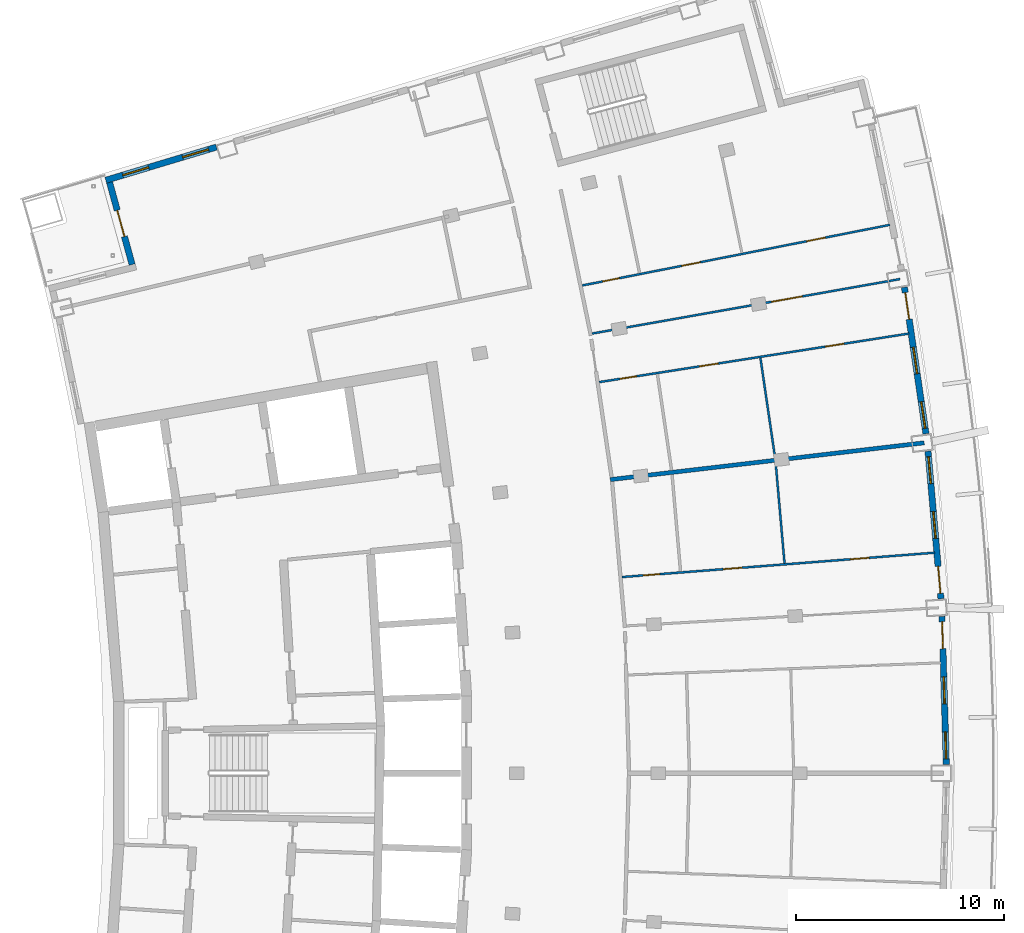
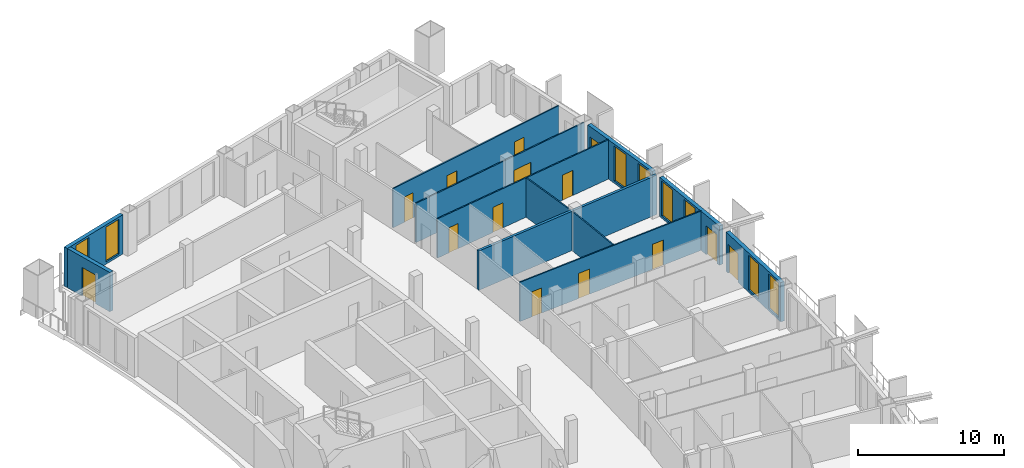
# One storey, part 12 of 17: 14 doors, 12 walls, 8 windows, 22 openings.
"""IFC4 building model written with IfcOpenShell, lengths in metres."""

from ifc_helpers import new_model, si_unit, direction, frame, frame_2d, origin, place, context, subcontext, project, spatial, rectangle, extrude, material, layer, layer_set, type_object, element, fill, save


model = new_model("IFC4")

# Units and contexts
model_context = context("Model", 3, precision=1e-05, world=origin(), true_north=direction((0.0, 1.0)))
body_context = subcontext(model_context, "Body", "Model", "MODEL_VIEW")
ifc_project = project(units=[si_unit("LENGTHUNIT", "METRE"), si_unit("AREAUNIT", "SQUARE_METRE"), si_unit("VOLUMEUNIT", "CUBIC_METRE"), si_unit("PLANEANGLEUNIT", "RADIAN"), si_unit("MASSUNIT", "GRAM", prefix="KILO")], contexts=[model_context])

# Site, building, storey
site_placement = place(None, origin())
site = spatial("IfcSite", under=ifc_project, at=site_placement, CompositionType="ELEMENT")
building_placement = place(site_placement, origin())
building = spatial("IfcBuilding", under=site, at=building_placement, Name="Alderwake Tower", CompositionType="ELEMENT")
storey_placement = place(building_placement, frame((0.0, 0.0, 270.800048828125)))
storey = spatial("IfcBuildingStorey", under=building, at=storey_placement, Name="L67", CompositionType="ELEMENT", Elevation=270.800048828125)

# Wall, openings, door, windows
ifc_material_1 = material(Name="Precast concrete C50/60 spandrel panel", Category="concrete")
ifc_layer_1 = layer(ifc_material_1, 0.300048828125)
ifc_layer_set_1 = layer_set([ifc_layer_1], Name="External wall EW1 Precast concrete C50/60 spandrel")
wall_type_1 = type_object("IfcWallType", Name="External wall EW1 Precast concrete C50/60 spandrel", PredefinedType="SOLIDWALL", material=ifc_layer_set_1)
wall_1_placement = place(storey_placement, frame((56.437744140625, 61.42138671875, 0.0), z_axis=(0.0, 0.0, 1.0), x_axis=(-0.029165124817, 0.999574607268, 0.0)))
wall_1 = element("IfcWall", 1, at=wall_1_placement, inside=storey, type_object=wall_type_1, Name="External wall 16", PredefinedType="SOLIDWALL", context=body_context, shape_type="SweptSolid", body=[
    extrude(rectangle(XDim=7.115234375, YDim=0.300048828125, at=frame_2d((3.5576171875, 0.0))), origin(), (0.0, 0.0, 1.0), 3.280029296875),
])
opening_1_placement = place(wall_1_placement, frame((0.259521484375, 0.0, 0.199951171875)))
opening_1 = element("IfcOpeningElement", 2, at=opening_1_placement, cuts=wall_1, Name="Opening W1", PredefinedType="OPENING", context=body_context, shape_type="SweptSolid", body=[
    extrude(rectangle(XDim=1.300048828125, YDim=2.89990234375, at=frame_2d((0.64990234375, 1.449951171875))), frame((0.0, 0.159912109375, 0.0), z_axis=(0.0, -1.0, 0.0), x_axis=(1.0, 0.0, 0.0)), (0.0, 0.0, 1.0), 0.320068359375),
])
opening_2_placement = place(wall_1_placement, frame((2.907470703125, 0.0, 0.199951171875)))
opening_2 = element("IfcOpeningElement", 3, at=opening_2_placement, cuts=wall_1, Name="Opening W1", PredefinedType="OPENING", context=body_context, shape_type="SweptSolid", body=[
    extrude(rectangle(XDim=1.300048828125, YDim=2.89990234375, at=frame_2d((0.64990234375, 1.449951171875))), frame((0.0, 0.159912109375, 0.0), z_axis=(0.0, -1.0, 0.0), x_axis=(1.0, 0.0, 0.0)), (0.0, 0.0, 1.0), 0.320068359375),
])
opening_3_placement = place(wall_1_placement, frame((5.555419921875, 0.0, 0.0)))
opening_3 = element("IfcOpeningElement", 4, at=opening_3_placement, cuts=wall_1, Name="Opening D06", PredefinedType="OPENING", context=body_context, shape_type="SweptSolid", body=[
    extrude(rectangle(XDim=1.300048828125, YDim=2.39990234375, at=frame_2d((0.64990234375, 1.199951171875))), frame((0.0, 0.159912109375, 0.0), z_axis=(0.0, -1.0, 0.0), x_axis=(1.0, 0.0, 0.0)), (0.0, 0.0, 1.0), 0.320068359375),
])
ifc_material_2 = material(Name="Bronze tinted glass in aluminium frame", Category="aluminium")
door_type_1 = type_object("IfcDoorType", Name="Balcony door BD sliding", OperationType="SLIDING_TO_LEFT", PredefinedType="DOOR", material=ifc_material_2)
door_1_placement = place(opening_3_placement, origin())
door_1 = element("IfcDoor", 5, at=door_1_placement, inside=storey, type_object=door_type_1, Name="Door D06", OperationType="SLIDING_TO_LEFT", OverallHeight=2.39990234375, OverallWidth=1.300048828125, PredefinedType="DOOR", context=body_context, shape_type="SweptSolid", body=[
    extrude(rectangle(XDim=1.300048828125, YDim=2.39990234375, at=frame_2d((0.64990234375, 1.199951171875))), frame((0.0, 0.02490234375, 0.0), z_axis=(0.0, -1.0, 0.0), x_axis=(1.0, 0.0, 0.0)), (0.0, 0.0, 1.0), 0.050048828125),
])
fill(opening_3, door_1)
ifc_material_3 = material(Name="Bronze tinted glass in aluminium frame", Category="aluminium")
window_type = type_object("IfcWindowType", Name="Window W1 tall fixed and vent", PartitioningType="DOUBLE_PANEL_VERTICAL", PredefinedType="WINDOW", material=ifc_material_3)
window_1_placement = place(opening_1_placement, origin())
window_1 = element("IfcWindow", 6, at=window_1_placement, inside=storey, type_object=window_type, Name="Window W1 tall fixed and vent", OverallHeight=2.89990234375, OverallWidth=1.300048828125, PartitioningType="DOUBLE_PANEL_VERTICAL", PredefinedType="WINDOW", context=body_context, shape_type="SweptSolid", body=[
    extrude(rectangle(XDim=1.300048828125, YDim=2.89990234375, at=frame_2d((0.64990234375, 1.449951171875))), frame((0.0, 0.030029296875, 0.0), z_axis=(0.0, -1.0, 0.0), x_axis=(1.0, 0.0, 0.0)), (0.0, 0.0, 1.0), 0.06005859375),
])
fill(opening_1, window_1)
window_2_placement = place(opening_2_placement, origin())
window_2 = element("IfcWindow", 7, at=window_2_placement, inside=storey, type_object=window_type, Name="Window W1 tall fixed and vent", OverallHeight=2.89990234375, OverallWidth=1.300048828125, PartitioningType="DOUBLE_PANEL_VERTICAL", PredefinedType="WINDOW", context=body_context, shape_type="SweptSolid", body=[
    extrude(rectangle(XDim=1.300048828125, YDim=2.89990234375, at=frame_2d((0.64990234375, 1.449951171875))), frame((0.0, 0.030029296875, 0.0), z_axis=(0.0, -1.0, 0.0), x_axis=(1.0, 0.0, 0.0)), (0.0, 0.0, 1.0), 0.06005859375),
])
fill(opening_2, window_2)

wall_2_placement = place(storey_placement, frame((56.180908203125, 69.375244140625, 0.0), z_axis=(0.0, 0.0, 1.0), x_axis=(-0.08736403326, 0.996176453091, 0.0)))
wall_2 = element("IfcWall", 8, at=wall_2_placement, inside=storey, type_object=wall_type_1, Name="External wall 17", PredefinedType="SOLIDWALL", context=body_context, shape_type="SweptSolid", body=[
    extrude(rectangle(XDim=7.11474609375, YDim=0.300048828125, at=frame_2d((3.557373046875, 0.0))), origin(), (0.0, 0.0, 1.0), 3.280029296875),
])
opening_4_placement = place(wall_2_placement, frame((0.259521484375, 0.0, 0.0)))
opening_4 = element("IfcOpeningElement", 9, at=opening_4_placement, cuts=wall_2, Name="Opening D07", PredefinedType="OPENING", context=body_context, shape_type="SweptSolid", body=[
    extrude(rectangle(XDim=1.300048828125, YDim=2.39990234375, at=frame_2d((0.64990234375, 1.199951171875))), frame((0.0, 0.159912109375, 0.0), z_axis=(0.0, -1.0, 0.0), x_axis=(1.0, 0.0, 0.0)), (0.0, 0.0, 1.0), 0.320068359375),
])
opening_5_placement = place(wall_2_placement, frame((2.907470703125, 0.0, 0.199951171875)))
opening_5 = element("IfcOpeningElement", 10, at=opening_5_placement, cuts=wall_2, Name="Opening W1", PredefinedType="OPENING", context=body_context, shape_type="SweptSolid", body=[
    extrude(rectangle(XDim=1.300048828125, YDim=2.89990234375, at=frame_2d((0.64990234375, 1.449951171875))), frame((0.0, 0.159912109375, 0.0), z_axis=(0.0, -1.0, 0.0), x_axis=(1.0, 0.0, 0.0)), (0.0, 0.0, 1.0), 0.320068359375),
])
opening_6_placement = place(wall_2_placement, frame((5.555419921875, 0.0, 0.199951171875)))
opening_6 = element("IfcOpeningElement", 11, at=opening_6_placement, cuts=wall_2, Name="Opening W1", PredefinedType="OPENING", context=body_context, shape_type="SweptSolid", body=[
    extrude(rectangle(XDim=1.300048828125, YDim=2.89990234375, at=frame_2d((0.64990234375, 1.449951171875))), frame((0.0, 0.159912109375, 0.0), z_axis=(0.0, -1.0, 0.0), x_axis=(1.0, 0.0, 0.0)), (0.0, 0.0, 1.0), 0.320068359375),
])
door_2_placement = place(opening_4_placement, origin())
door_2 = element("IfcDoor", 12, at=door_2_placement, inside=storey, type_object=door_type_1, Name="Door D07", OperationType="SLIDING_TO_LEFT", OverallHeight=2.39990234375, OverallWidth=1.300048828125, PredefinedType="DOOR", context=body_context, shape_type="SweptSolid", body=[
    extrude(rectangle(XDim=1.300048828125, YDim=2.39990234375, at=frame_2d((0.64990234375, 1.199951171875))), frame((0.0, 0.02490234375, 0.0), z_axis=(0.0, -1.0, 0.0), x_axis=(1.0, 0.0, 0.0)), (0.0, 0.0, 1.0), 0.050048828125),
])
fill(opening_4, door_2)
window_3_placement = place(opening_5_placement, origin())
window_3 = element("IfcWindow", 13, at=window_3_placement, inside=storey, type_object=window_type, Name="Window W1 tall fixed and vent", OverallHeight=2.89990234375, OverallWidth=1.300048828125, PartitioningType="DOUBLE_PANEL_VERTICAL", PredefinedType="WINDOW", context=body_context, shape_type="SweptSolid", body=[
    extrude(rectangle(XDim=1.300048828125, YDim=2.89990234375, at=frame_2d((0.64990234375, 1.449951171875))), frame((0.0, 0.030029296875, 0.0), z_axis=(0.0, -1.0, 0.0), x_axis=(1.0, 0.0, 0.0)), (0.0, 0.0, 1.0), 0.06005859375),
])
fill(opening_5, window_3)
window_4_placement = place(opening_6_placement, origin())
window_4 = element("IfcWindow", 14, at=window_4_placement, inside=storey, type_object=window_type, Name="Window W1 tall fixed and vent", OverallHeight=2.89990234375, OverallWidth=1.300048828125, PartitioningType="DOUBLE_PANEL_VERTICAL", PredefinedType="WINDOW", context=body_context, shape_type="SweptSolid", body=[
    extrude(rectangle(XDim=1.300048828125, YDim=2.89990234375, at=frame_2d((0.64990234375, 1.449951171875))), frame((0.0, 0.030029296875, 0.0), z_axis=(0.0, -1.0, 0.0), x_axis=(1.0, 0.0, 0.0)), (0.0, 0.0, 1.0), 0.06005859375),
])
fill(opening_6, window_4)

wall_3_placement = place(storey_placement, frame((55.461181640625, 77.30029296875, 0.0), z_axis=(0.0, 0.0, 1.0), x_axis=(-0.145316175734, 0.98938526827, 0.0)))
wall_3 = element("IfcWall", 15, at=wall_3_placement, inside=storey, type_object=wall_type_1, Name="External wall 18", PredefinedType="SOLIDWALL", context=body_context, shape_type="SweptSolid", body=[
    extrude(rectangle(XDim=7.114990234375, YDim=0.300048828125, at=frame_2d((3.5576171875, 0.0))), origin(), (0.0, 0.0, 1.0), 3.280029296875),
])
opening_7_placement = place(wall_3_placement, frame((0.259521484375, 0.0, 0.199951171875)))
opening_7 = element("IfcOpeningElement", 16, at=opening_7_placement, cuts=wall_3, Name="Opening W1", PredefinedType="OPENING", context=body_context, shape_type="SweptSolid", body=[
    extrude(rectangle(XDim=1.300048828125, YDim=2.89990234375, at=frame_2d((0.64990234375, 1.449951171875))), frame((0.0, 0.159912109375, 0.0), z_axis=(0.0, -1.0, 0.0), x_axis=(1.0, 0.0, 0.0)), (0.0, 0.0, 1.0), 0.320068359375),
])
opening_8_placement = place(wall_3_placement, frame((2.907470703125, 0.0, 0.199951171875)))
opening_8 = element("IfcOpeningElement", 17, at=opening_8_placement, cuts=wall_3, Name="Opening W1", PredefinedType="OPENING", context=body_context, shape_type="SweptSolid", body=[
    extrude(rectangle(XDim=1.300048828125, YDim=2.89990234375, at=frame_2d((0.64990234375, 1.449951171875))), frame((0.0, 0.159912109375, 0.0), z_axis=(0.0, -1.0, 0.0), x_axis=(1.0, 0.0, 0.0)), (0.0, 0.0, 1.0), 0.320068359375),
])
opening_9_placement = place(wall_3_placement, frame((5.555419921875, 0.0, 0.0)))
opening_9 = element("IfcOpeningElement", 18, at=opening_9_placement, cuts=wall_3, Name="Opening D08", PredefinedType="OPENING", context=body_context, shape_type="SweptSolid", body=[
    extrude(rectangle(XDim=1.300048828125, YDim=2.39990234375, at=frame_2d((0.64990234375, 1.199951171875))), frame((0.0, 0.159912109375, 0.0), z_axis=(0.0, -1.0, 0.0), x_axis=(1.0, 0.0, 0.0)), (0.0, 0.0, 1.0), 0.320068359375),
])
door_3_placement = place(opening_9_placement, origin())
door_3 = element("IfcDoor", 19, at=door_3_placement, inside=storey, type_object=door_type_1, Name="Door D08", OperationType="SLIDING_TO_LEFT", OverallHeight=2.39990234375, OverallWidth=1.300048828125, PredefinedType="DOOR", context=body_context, shape_type="SweptSolid", body=[
    extrude(rectangle(XDim=1.300048828125, YDim=2.39990234375, at=frame_2d((0.64990234375, 1.199951171875))), frame((0.0, 0.02490234375, 0.0), z_axis=(0.0, -1.0, 0.0), x_axis=(1.0, 0.0, 0.0)), (0.0, 0.0, 1.0), 0.050048828125),
])
fill(opening_9, door_3)
window_5_placement = place(opening_7_placement, origin())
window_5 = element("IfcWindow", 20, at=window_5_placement, inside=storey, type_object=window_type, Name="Window W1 tall fixed and vent", OverallHeight=2.89990234375, OverallWidth=1.300048828125, PartitioningType="DOUBLE_PANEL_VERTICAL", PredefinedType="WINDOW", context=body_context, shape_type="SweptSolid", body=[
    extrude(rectangle(XDim=1.300048828125, YDim=2.89990234375, at=frame_2d((0.64990234375, 1.449951171875))), frame((0.0, 0.030029296875, 0.0), z_axis=(0.0, -1.0, 0.0), x_axis=(1.0, 0.0, 0.0)), (0.0, 0.0, 1.0), 0.06005859375),
])
fill(opening_7, window_5)
window_6_placement = place(opening_8_placement, origin())
window_6 = element("IfcWindow", 21, at=window_6_placement, inside=storey, type_object=window_type, Name="Window W1 tall fixed and vent", OverallHeight=2.89990234375, OverallWidth=1.300048828125, PartitioningType="DOUBLE_PANEL_VERTICAL", PredefinedType="WINDOW", context=body_context, shape_type="SweptSolid", body=[
    extrude(rectangle(XDim=1.300048828125, YDim=2.89990234375, at=frame_2d((0.64990234375, 1.449951171875))), frame((0.0, 0.030029296875, 0.0), z_axis=(0.0, -1.0, 0.0), x_axis=(1.0, 0.0, 0.0)), (0.0, 0.0, 1.0), 0.06005859375),
])
fill(opening_8, window_6)

# Wall, openings, windows
ifc_material_4 = material(Name="Bronze metal cladding on lightweight framing")
ifc_layer_2 = layer(ifc_material_4, 0.300048828125)
ifc_layer_set_2 = layer_set([ifc_layer_2], Name="External wall EW2 bronze metal cladding")
wall_type_2 = type_object("IfcWallType", Name="External wall EW2 bronze metal cladding", PredefinedType="SOLIDWALL", material=ifc_layer_set_2)
wall_4_placement = place(storey_placement, frame((21.380859375, 91.072021484375, 0.0), z_axis=(0.0, 0.0, 1.0), x_axis=(-0.957769358194, -0.287537574074, 0.0)))
wall_4 = element("IfcWall", 22, at=wall_4_placement, inside=storey, type_object=wall_type_2, Name="External wall 27", PredefinedType="SOLIDWALL", context=body_context, shape_type="SweptSolid", body=[
    extrude(rectangle(XDim=5.549560546875, YDim=0.300048828125, at=frame_2d((2.77490234375, 0.0))), origin(), (0.0, 0.0, 1.0), 3.280029296875),
])
opening_10_placement = place(wall_4_placement, frame((0.3984375, 0.0, 0.199951171875)))
opening_10 = element("IfcOpeningElement", 23, at=opening_10_placement, cuts=wall_4, Name="Opening W1", PredefinedType="OPENING", context=body_context, shape_type="SweptSolid", body=[
    extrude(rectangle(XDim=1.300048828125, YDim=2.89990234375, at=frame_2d((0.64990234375, 1.449951171875))), frame((0.0, 0.159912109375, 0.0), z_axis=(0.0, -1.0, 0.0), x_axis=(1.0, 0.0, 0.0)), (0.0, 0.0, 1.0), 0.320068359375),
])
opening_11_placement = place(wall_4_placement, frame((3.399169921875, 0.0, 0.199951171875)))
opening_11 = element("IfcOpeningElement", 24, at=opening_11_placement, cuts=wall_4, Name="Opening W1", PredefinedType="OPENING", context=body_context, shape_type="SweptSolid", body=[
    extrude(rectangle(XDim=1.300048828125, YDim=2.89990234375, at=frame_2d((0.64990234375, 1.449951171875))), frame((0.0, 0.159912109375, 0.0), z_axis=(0.0, -1.0, 0.0), x_axis=(1.0, 0.0, 0.0)), (0.0, 0.0, 1.0), 0.320068359375),
])
window_7_placement = place(opening_10_placement, origin())
window_7 = element("IfcWindow", 25, at=window_7_placement, inside=storey, type_object=window_type, Name="Window W1 tall fixed and vent", OverallHeight=2.89990234375, OverallWidth=1.300048828125, PartitioningType="DOUBLE_PANEL_VERTICAL", PredefinedType="WINDOW", context=body_context, shape_type="SweptSolid", body=[
    extrude(rectangle(XDim=1.300048828125, YDim=2.89990234375, at=frame_2d((0.64990234375, 1.449951171875))), frame((0.0, 0.030029296875, 0.0), z_axis=(0.0, -1.0, 0.0), x_axis=(1.0, 0.0, 0.0)), (0.0, 0.0, 1.0), 0.06005859375),
])
fill(opening_10, window_7)
window_8_placement = place(opening_11_placement, origin())
window_8 = element("IfcWindow", 26, at=window_8_placement, inside=storey, type_object=window_type, Name="Window W1 tall fixed and vent", OverallHeight=2.89990234375, OverallWidth=1.300048828125, PartitioningType="DOUBLE_PANEL_VERTICAL", PredefinedType="WINDOW", context=body_context, shape_type="SweptSolid", body=[
    extrude(rectangle(XDim=1.300048828125, YDim=2.89990234375, at=frame_2d((0.64990234375, 1.449951171875))), frame((0.0, 0.030029296875, 0.0), z_axis=(0.0, -1.0, 0.0), x_axis=(1.0, 0.0, 0.0)), (0.0, 0.0, 1.0), 0.06005859375),
])
fill(opening_11, window_8)

# Wall, opening, door
wall_5_placement = place(storey_placement, frame((16.248779296875, 89.374755859375, 0.0), z_axis=(0.0, 0.0, 1.0), x_axis=(0.264607053468, -0.964356317579, 0.0)))
wall_5 = element("IfcWall", 27, at=wall_5_placement, inside=storey, type_object=wall_type_2, Name="External wall 28", PredefinedType="SOLIDWALL", context=body_context, shape_type="SweptSolid", body=[
    extrude(rectangle(XDim=4.090087890625, YDim=0.300048828125, at=frame_2d((2.044921875, 0.0))), origin(), (0.0, 0.0, 1.0), 3.280029296875),
])
opening_12_placement = place(wall_5_placement, frame((1.39501953125, 0.0, 0.0)))
opening_12 = element("IfcOpeningElement", 28, at=opening_12_placement, cuts=wall_5, Name="Opening D10", PredefinedType="OPENING", context=body_context, shape_type="SweptSolid", body=[
    extrude(rectangle(XDim=1.300048828125, YDim=2.39990234375, at=frame_2d((0.64990234375, 1.199951171875))), frame((0.0, 0.159912109375, 0.0), z_axis=(0.0, -1.0, 0.0), x_axis=(1.0, 0.0, 0.0)), (0.0, 0.0, 1.0), 0.320068359375),
])
door_4_placement = place(opening_12_placement, origin())
door_4 = element("IfcDoor", 29, at=door_4_placement, inside=storey, type_object=door_type_1, Name="Door D10", OperationType="SLIDING_TO_LEFT", OverallHeight=2.39990234375, OverallWidth=1.300048828125, PredefinedType="DOOR", context=body_context, shape_type="SweptSolid", body=[
    extrude(rectangle(XDim=1.300048828125, YDim=2.39990234375, at=frame_2d((0.64990234375, 1.199951171875))), frame((0.0, 0.02490234375, 0.0), z_axis=(0.0, -1.0, 0.0), x_axis=(1.0, 0.0, 0.0)), (0.0, 0.0, 1.0), 0.050048828125),
])
fill(opening_12, door_4)

# Wall
ifc_material_5 = material(Name="Dense block masonry wall", Category="masonry")
ifc_layer_3 = layer(ifc_material_5, 0.199951171875)
ifc_layer_set_3 = layer_set([ifc_layer_3], Name="Party wall 200")
wall_type_3 = type_object("IfcWallType", Name="Party wall 200", PredefinedType="SOLIDWALL", material=ifc_layer_set_3)
wall_6_placement = place(storey_placement, frame((55.3740234375, 76.865966796875, 0.0), z_axis=(0.0, 0.0, 1.0), x_axis=(-0.993199152778, -0.116427844266, 0.0)))
element("IfcWall", 30, at=wall_6_placement, inside=storey, type_object=wall_type_3, Name="WL/L67/W02", PredefinedType="SOLIDWALL", context=body_context, shape_type="SweptSolid", body=[
    extrude(rectangle(XDim=15.1796875, YDim=0.199951171875, at=frame_2d((7.58984375, 0.0))), origin(), (0.0, 0.0, 1.0), 3.280029296875),
])

# Wall, openings, doors
ifc_material_6 = material(Name="Gypsum board on metal studs")
ifc_layer_4 = layer(ifc_material_6, 0.10009765625)
ifc_layer_set_4 = layer_set([ifc_layer_4], Name="Unit partition 100")
wall_type_4 = type_object("IfcWallType", Name="Unit partition 100", PredefinedType="PARTITIONING", material=ifc_layer_set_4)
wall_7_placement = place(storey_placement, frame((38.949462890625, 84.423583984375, 0.0), z_axis=(0.0, 0.0, 1.0), x_axis=(0.981127917423, 0.193359793272, 0.0)))
wall_7 = element("IfcWall", 31, at=wall_7_placement, inside=storey, type_object=wall_type_4, Name="WL/L67/W39", PredefinedType="PARTITIONING", context=body_context, shape_type="SweptSolid", body=[
    extrude(rectangle(XDim=15.061767578125, YDim=0.10009765625, at=frame_2d((7.53076171875, 0.0))), origin(), (0.0, 0.0, 1.0), 3.280029296875),
])
opening_13_placement = place(wall_7_placement, frame((4.873291015625, 0.0, 0.0)))
opening_13 = element("IfcOpeningElement", 32, at=opening_13_placement, cuts=wall_7, Name="Opening R19-U06.5", PredefinedType="OPENING", context=body_context, shape_type="SweptSolid", body=[
    extrude(rectangle(XDim=0.89990234375, YDim=2.10009765625, at=frame_2d((0.449951171875, 1.050048828125))), frame((0.0, 0.06005859375, 0.0), z_axis=(0.0, -1.0, 0.0), x_axis=(1.0, 0.0, 0.0)), (0.0, 0.0, 1.0), 0.1201171875),
])
opening_14_placement = place(wall_7_placement, frame((1.009521484375, 0.0, 0.0)))
opening_14 = element("IfcOpeningElement", 33, at=opening_14_placement, cuts=wall_7, Name="Opening R19-U06.6", PredefinedType="OPENING", context=body_context, shape_type="SweptSolid", body=[
    extrude(rectangle(XDim=0.800048828125, YDim=2.10009765625, at=frame_2d((0.39990234375, 1.050048828125))), frame((0.0, 0.06005859375, 0.0), z_axis=(0.0, -1.0, 0.0), x_axis=(1.0, 0.0, 0.0)), (0.0, 0.0, 1.0), 0.1201171875),
])
opening_15_placement = place(wall_7_placement, frame((10.99462890625, 0.0, 0.0)))
opening_15 = element("IfcOpeningElement", 34, at=opening_15_placement, cuts=wall_7, Name="Opening R19-U06.7", PredefinedType="OPENING", context=body_context, shape_type="SweptSolid", body=[
    extrude(rectangle(XDim=0.89990234375, YDim=2.10009765625, at=frame_2d((0.449951171875, 1.050048828125))), frame((0.0, 0.06005859375, 0.0), z_axis=(0.0, -1.0, 0.0), x_axis=(1.0, 0.0, 0.0)), (0.0, 0.0, 1.0), 0.1201171875),
])
ifc_material_7 = material(Name="Painted timber leaf", Category="wood")
door_type_2 = type_object("IfcDoorType", Name="Bathroom door 800", OperationType="SINGLE_SWING_LEFT", PredefinedType="DOOR", material=ifc_material_7)
door_5_placement = place(opening_14_placement, origin())
door_5 = element("IfcDoor", 35, at=door_5_placement, inside=storey, type_object=door_type_2, Name="DR/L67/U06.6", OperationType="SINGLE_SWING_LEFT", OverallHeight=2.10009765625, OverallWidth=0.800048828125, PredefinedType="DOOR", context=body_context, shape_type="SweptSolid", body=[
    extrude(rectangle(XDim=0.800048828125, YDim=2.10009765625, at=frame_2d((0.39990234375, 1.050048828125))), frame((0.0, 0.02490234375, 0.0), z_axis=(0.0, -1.0, 0.0), x_axis=(1.0, 0.0, 0.0)), (0.0, 0.0, 1.0), 0.050048828125),
])
fill(opening_14, door_5)
ifc_material_8 = material(Name="Painted timber leaf", Category="wood")
door_type_3 = type_object("IfcDoorType", Name="Room door 900", OperationType="SINGLE_SWING_LEFT", PredefinedType="DOOR", material=ifc_material_8)
door_6_placement = place(opening_13_placement, origin())
door_6 = element("IfcDoor", 36, at=door_6_placement, inside=storey, type_object=door_type_3, Name="DR/L67/U06.5", OperationType="SINGLE_SWING_LEFT", OverallHeight=2.10009765625, OverallWidth=0.89990234375, PredefinedType="DOOR", context=body_context, shape_type="SweptSolid", body=[
    extrude(rectangle(XDim=0.89990234375, YDim=2.10009765625, at=frame_2d((0.449951171875, 1.050048828125))), frame((0.0, 0.02490234375, 0.0), z_axis=(0.0, -1.0, 0.0), x_axis=(1.0, 0.0, 0.0)), (0.0, 0.0, 1.0), 0.050048828125),
])
fill(opening_13, door_6)
door_7_placement = place(opening_15_placement, origin())
door_7 = element("IfcDoor", 37, at=door_7_placement, inside=storey, type_object=door_type_3, Name="DR/L67/U06.7", OperationType="SINGLE_SWING_LEFT", OverallHeight=2.10009765625, OverallWidth=0.89990234375, PredefinedType="DOOR", context=body_context, shape_type="SweptSolid", body=[
    extrude(rectangle(XDim=0.89990234375, YDim=2.10009765625, at=frame_2d((0.449951171875, 1.050048828125))), frame((0.0, 0.02490234375, 0.0), z_axis=(0.0, -1.0, 0.0), x_axis=(1.0, 0.0, 0.0)), (0.0, 0.0, 1.0), 0.050048828125),
])
fill(opening_15, door_7)

wall_8_placement = place(storey_placement, frame((54.65087890625, 82.115966796875, 0.0), z_axis=(0.0, 0.0, 1.0), x_axis=(-0.987928768537, -0.154908838665, 0.0)))
wall_8 = element("IfcWall", 38, at=wall_8_placement, inside=storey, type_object=wall_type_4, Name="WL/L67/W41", PredefinedType="PARTITIONING", context=body_context, shape_type="SweptSolid", body=[
    extrude(rectangle(XDim=15.063720703125, YDim=0.10009765625, at=frame_2d((7.53173828125, 0.0))), origin(), (0.0, 0.0, 1.0), 3.280029296875),
])
opening_16_placement = place(wall_8_placement, frame((9.28955078125, 0.0, 0.0)))
opening_16 = element("IfcOpeningElement", 39, at=opening_16_placement, cuts=wall_8, Name="Opening R19-U06.1", PredefinedType="OPENING", context=body_context, shape_type="SweptSolid", body=[
    extrude(rectangle(XDim=0.89990234375, YDim=2.10009765625, at=frame_2d((0.449951171875, 1.050048828125))), frame((0.0, 0.06005859375, 0.0), z_axis=(0.0, -1.0, 0.0), x_axis=(1.0, 0.0, 0.0)), (0.0, 0.0, 1.0), 0.1201171875),
])
opening_17_placement = place(wall_8_placement, frame((13.253662109375, 0.0, 0.0)))
opening_17 = element("IfcOpeningElement", 40, at=opening_17_placement, cuts=wall_8, Name="Opening R19-U06.3", PredefinedType="OPENING", context=body_context, shape_type="SweptSolid", body=[
    extrude(rectangle(XDim=0.800048828125, YDim=2.10009765625, at=frame_2d((0.39990234375, 1.050048828125))), frame((0.0, 0.06005859375, 0.0), z_axis=(0.0, -1.0, 0.0), x_axis=(1.0, 0.0, 0.0)), (0.0, 0.0, 1.0), 0.1201171875),
])
opening_18_placement = place(wall_8_placement, frame((3.167724609375, 0.0, 0.0)))
opening_18 = element("IfcOpeningElement", 41, at=opening_18_placement, cuts=wall_8, Name="Opening R19-U06.4", PredefinedType="OPENING", context=body_context, shape_type="SweptSolid", body=[
    extrude(rectangle(XDim=0.89990234375, YDim=2.10009765625, at=frame_2d((0.449951171875, 1.050048828125))), frame((0.0, 0.06005859375, 0.0), z_axis=(0.0, -1.0, 0.0), x_axis=(1.0, 0.0, 0.0)), (0.0, 0.0, 1.0), 0.1201171875),
])
door_8_placement = place(opening_17_placement, origin())
door_8 = element("IfcDoor", 42, at=door_8_placement, inside=storey, type_object=door_type_2, Name="DR/L67/U06.3", OperationType="SINGLE_SWING_LEFT", OverallHeight=2.10009765625, OverallWidth=0.800048828125, PredefinedType="DOOR", context=body_context, shape_type="SweptSolid", body=[
    extrude(rectangle(XDim=0.800048828125, YDim=2.10009765625, at=frame_2d((0.39990234375, 1.050048828125))), frame((0.0, 0.02490234375, 0.0), z_axis=(0.0, -1.0, 0.0), x_axis=(1.0, 0.0, 0.0)), (0.0, 0.0, 1.0), 0.050048828125),
])
fill(opening_17, door_8)
door_9_placement = place(opening_16_placement, origin())
door_9 = element("IfcDoor", 43, at=door_9_placement, inside=storey, type_object=door_type_3, Name="DR/L67/U06.1", OperationType="SINGLE_SWING_LEFT", OverallHeight=2.10009765625, OverallWidth=0.89990234375, PredefinedType="DOOR", context=body_context, shape_type="SweptSolid", body=[
    extrude(rectangle(XDim=0.89990234375, YDim=2.10009765625, at=frame_2d((0.449951171875, 1.050048828125))), frame((0.0, 0.02490234375, 0.0), z_axis=(0.0, -1.0, 0.0), x_axis=(1.0, 0.0, 0.0)), (0.0, 0.0, 1.0), 0.050048828125),
])
fill(opening_16, door_9)
door_10_placement = place(opening_18_placement, origin())
door_10 = element("IfcDoor", 44, at=door_10_placement, inside=storey, type_object=door_type_3, Name="DR/L67/U06.4", OperationType="SINGLE_SWING_LEFT", OverallHeight=2.10009765625, OverallWidth=0.89990234375, PredefinedType="DOOR", context=body_context, shape_type="SweptSolid", body=[
    extrude(rectangle(XDim=0.89990234375, YDim=2.10009765625, at=frame_2d((0.449951171875, 1.050048828125))), frame((0.0, 0.02490234375, 0.0), z_axis=(0.0, -1.0, 0.0), x_axis=(1.0, 0.0, 0.0)), (0.0, 0.0, 1.0), 0.050048828125),
])
fill(opening_18, door_10)

wall_9_placement = place(storey_placement, frame((40.867919921875, 70.419189453125, 0.0), z_axis=(0.0, 0.0, 1.0), x_axis=(0.996978678342, 0.077675703616, 0.0)))
wall_9 = element("IfcWall", 45, at=wall_9_placement, inside=storey, type_object=wall_type_4, Name="WL/L67/W43", PredefinedType="PARTITIONING", context=body_context, shape_type="SweptSolid", body=[
    extrude(rectangle(XDim=15.0615234375, YDim=0.10009765625, at=frame_2d((7.53076171875, 0.0))), origin(), (0.0, 0.0, 1.0), 3.280029296875),
])
opening_19_placement = place(wall_9_placement, frame((4.872802734375, 0.0, 0.0)))
opening_19 = element("IfcOpeningElement", 46, at=opening_19_placement, cuts=wall_9, Name="Opening R19-U05.5", PredefinedType="OPENING", context=body_context, shape_type="SweptSolid", body=[
    extrude(rectangle(XDim=0.89990234375, YDim=2.10009765625, at=frame_2d((0.449951171875, 1.050048828125))), frame((0.0, 0.06005859375, 0.0), z_axis=(0.0, -1.0, 0.0), x_axis=(1.0, 0.0, 0.0)), (0.0, 0.0, 1.0), 0.1201171875),
])
opening_20_placement = place(wall_9_placement, frame((1.009521484375, 0.0, 0.0)))
opening_20 = element("IfcOpeningElement", 47, at=opening_20_placement, cuts=wall_9, Name="Opening R19-U05.6", PredefinedType="OPENING", context=body_context, shape_type="SweptSolid", body=[
    extrude(rectangle(XDim=0.800048828125, YDim=2.10009765625, at=frame_2d((0.39990234375, 1.050048828125))), frame((0.0, 0.06005859375, 0.0), z_axis=(0.0, -1.0, 0.0), x_axis=(1.0, 0.0, 0.0)), (0.0, 0.0, 1.0), 0.1201171875),
])
opening_21_placement = place(wall_9_placement, frame((10.994384765625, 0.0, 0.0)))
opening_21 = element("IfcOpeningElement", 48, at=opening_21_placement, cuts=wall_9, Name="Opening R19-U05.7", PredefinedType="OPENING", context=body_context, shape_type="SweptSolid", body=[
    extrude(rectangle(XDim=0.89990234375, YDim=2.10009765625, at=frame_2d((0.449951171875, 1.050048828125))), frame((0.0, 0.06005859375, 0.0), z_axis=(0.0, -1.0, 0.0), x_axis=(1.0, 0.0, 0.0)), (0.0, 0.0, 1.0), 0.1201171875),
])
door_11_placement = place(opening_20_placement, origin())
door_11 = element("IfcDoor", 49, at=door_11_placement, inside=storey, type_object=door_type_2, Name="DR/L67/U05.6", OperationType="SINGLE_SWING_LEFT", OverallHeight=2.10009765625, OverallWidth=0.800048828125, PredefinedType="DOOR", context=body_context, shape_type="SweptSolid", body=[
    extrude(rectangle(XDim=0.800048828125, YDim=2.10009765625, at=frame_2d((0.39990234375, 1.050048828125))), frame((0.0, 0.02490234375, 0.0), z_axis=(0.0, -1.0, 0.0), x_axis=(1.0, 0.0, 0.0)), (0.0, 0.0, 1.0), 0.050048828125),
])
fill(opening_20, door_11)
door_12_placement = place(opening_19_placement, origin())
door_12 = element("IfcDoor", 50, at=door_12_placement, inside=storey, type_object=door_type_3, Name="DR/L67/U05.5", OperationType="SINGLE_SWING_LEFT", OverallHeight=2.10009765625, OverallWidth=0.89990234375, PredefinedType="DOOR", context=body_context, shape_type="SweptSolid", body=[
    extrude(rectangle(XDim=0.89990234375, YDim=2.10009765625, at=frame_2d((0.449951171875, 1.050048828125))), frame((0.0, 0.02490234375, 0.0), z_axis=(0.0, -1.0, 0.0), x_axis=(1.0, 0.0, 0.0)), (0.0, 0.0, 1.0), 0.050048828125),
])
fill(opening_19, door_12)
door_13_placement = place(opening_21_placement, origin())
door_13 = element("IfcDoor", 51, at=door_13_placement, inside=storey, type_object=door_type_3, Name="DR/L67/U05.7", OperationType="SINGLE_SWING_LEFT", OverallHeight=2.10009765625, OverallWidth=0.89990234375, PredefinedType="DOOR", context=body_context, shape_type="SweptSolid", body=[
    extrude(rectangle(XDim=0.89990234375, YDim=2.10009765625, at=frame_2d((0.449951171875, 1.050048828125))), frame((0.0, 0.02490234375, 0.0), z_axis=(0.0, -1.0, 0.0), x_axis=(1.0, 0.0, 0.0)), (0.0, 0.0, 1.0), 0.050048828125),
])
fill(opening_21, door_13)

# Walls
wall_10_placement = place(storey_placement, frame((48.216552734375, 76.1279296875, 0.0), z_axis=(0.0, 0.0, 1.0), x_axis=(-0.14519530572, 0.989403013537, 0.0)))
element("IfcWall", 52, at=wall_10_placement, inside=storey, type_object=wall_type_4, Name="WL/L67/W50", PredefinedType="PARTITIONING", context=body_context, shape_type="SweptSolid", body=[
    extrude(rectangle(XDim=4.87109375, YDim=0.10009765625, at=frame_2d((2.435546875, 0.0))), origin(), (0.0, 0.0, 1.0), 3.280029296875),
])
wall_11_placement = place(storey_placement, frame((48.66748046875, 71.077880859375, 0.0), z_axis=(0.0, 0.0, 1.0), x_axis=(-0.087827973978, 0.99613565692, 0.0)))
element("IfcWall", 53, at=wall_11_placement, inside=storey, type_object=wall_type_4, Name="WL/L67/W51", PredefinedType="PARTITIONING", context=body_context, shape_type="SweptSolid", body=[
    extrude(rectangle(XDim=4.8701171875, YDim=0.10009765625, at=frame_2d((2.43505859375, 0.0))), origin(), (0.0, 0.0, 1.0), 3.280029296875),
])

# Wall, opening, door
wall_12_placement = place(storey_placement, frame((39.4267578125, 82.114990234375, 0.0), z_axis=(0.0, 0.0, 1.0), x_axis=(0.984708860325, 0.174208095097, 0.0)))
wall_12 = element("IfcWall", 54, at=wall_12_placement, inside=storey, type_object=wall_type_4, Name="WL/L67/W55", PredefinedType="PARTITIONING", context=body_context, shape_type="SweptSolid", body=[
    extrude(rectangle(XDim=15.02197265625, YDim=0.10009765625, at=frame_2d((7.510986328125, 0.0))), origin(), (0.0, 0.0, 1.0), 3.280029296875),
])
opening_22_placement = place(wall_12_placement, frame((8.752685546875, 0.0, 0.0)))
opening_22 = element("IfcOpeningElement", 55, at=opening_22_placement, cuts=wall_12, Name="Opening R19-U06.8", PredefinedType="OPENING", context=body_context, shape_type="SweptSolid", body=[
    extrude(rectangle(XDim=1.5, YDim=2.10009765625, at=frame_2d((0.75, 1.050048828125))), frame((0.0, 0.06005859375, 0.0), z_axis=(0.0, -1.0, 0.0), x_axis=(1.0, 0.0, 0.0)), (0.0, 0.0, 1.0), 0.1201171875),
])
ifc_material_9 = material(Name="Painted timber leaves", Category="wood")
door_type_4 = type_object("IfcDoorType", Name="Double leaf door 1500", OperationType="DOUBLE_DOOR_SINGLE_SWING", PredefinedType="DOOR", material=ifc_material_9)
door_14_placement = place(opening_22_placement, origin())
door_14 = element("IfcDoor", 56, at=door_14_placement, inside=storey, type_object=door_type_4, Name="DR/L67/U06.8", OperationType="DOUBLE_DOOR_SINGLE_SWING", OverallHeight=2.10009765625, OverallWidth=1.5, PredefinedType="DOOR", context=body_context, shape_type="SweptSolid", body=[
    extrude(rectangle(XDim=1.5, YDim=2.10009765625, at=frame_2d((0.75, 1.050048828125))), frame((0.0, 0.02490234375, 0.0), z_axis=(0.0, -1.0, 0.0), x_axis=(1.0, 0.0, 0.0)), (0.0, 0.0, 1.0), 0.050048828125),
])
fill(opening_22, door_14)

save(model, "model.ifc")
